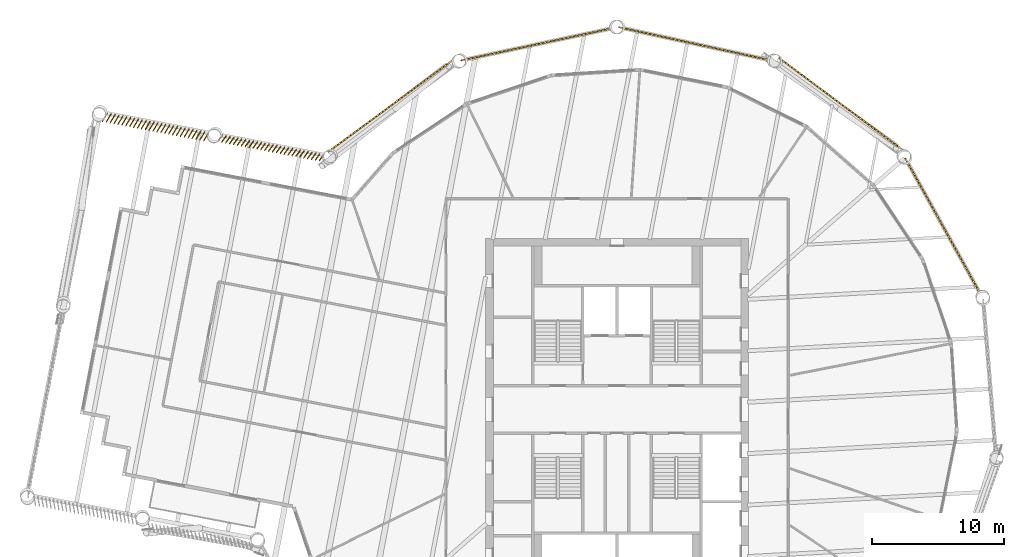
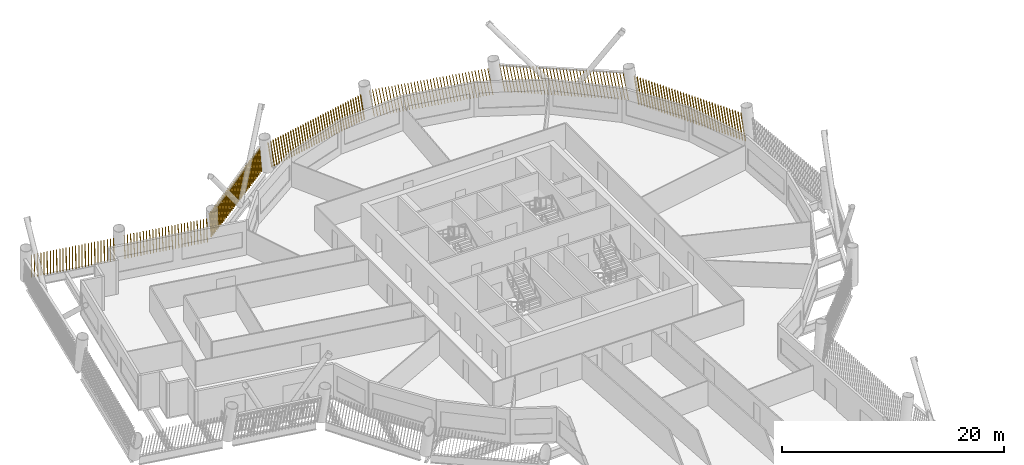
# One storey, part 22 of 23: 7 shading devices.
"""IFC4 building model written with IfcOpenShell, lengths in metres."""

from ifc_helpers import new_model, si_unit, direction, frame, frame_2d, origin, place, context, subcontext, project, spatial, rectangle, composite_profile, extrude, material, type_object, element, save


model = new_model("IFC4")

# Units and contexts
model_context = context("Model", 3, precision=1e-05, world=origin(), true_north=direction((0.0, 1.0)))
body_context = subcontext(model_context, "Body", "Model", "MODEL_VIEW")
ifc_project = project(units=[si_unit("LENGTHUNIT", "METRE"), si_unit("AREAUNIT", "SQUARE_METRE"), si_unit("VOLUMEUNIT", "CUBIC_METRE"), si_unit("PLANEANGLEUNIT", "RADIAN"), si_unit("MASSUNIT", "GRAM", prefix="KILO")], contexts=[model_context])

# Site, building, storey
site_placement = place(None, origin())
site = spatial("IfcSite", under=ifc_project, at=site_placement, CompositionType="ELEMENT")
building_placement = place(site_placement, origin())
building = spatial("IfcBuilding", under=site, at=building_placement, Name="Tarsis Ring Headquarters", CompositionType="ELEMENT")
storey_placement = place(building_placement, frame((0.0, 0.0, 239.39990234375)))
storey = spatial("IfcBuildingStorey", under=building, at=storey_placement, Name="L56", CompositionType="ELEMENT", Elevation=239.39990234375)

# Shading devices
ifc_material = material(Name="Terracotta baguette", Category="masonry")
shading_device_type = type_object("IfcShadingDeviceType", Name="Terracotta baguette screen", PredefinedType="USERDEFINED", material=ifc_material)
shading_device_1_placement = place(storey_placement, frame((27.563720703125, 8.841796875, 0.0), z_axis=(0.0, 0.0, 1.0), x_axis=(-0.48462289745, 0.874725990233, 0.0)))
element("IfcShadingDevice", 1, at=shading_device_1_placement, inside=storey, type_object=shading_device_type, Name="Baguette screen L56-10", ObjectType="Terracotta baguette screen", PredefinedType="USERDEFINED", context=body_context, shape_type="SweptSolid", body=[
    extrude(composite_profile([rectangle(XDim=0.06005859375, YDim=0.1201171875, at=frame_2d((0.030029296875, 0.0))), rectangle(XDim=0.06005859375, YDim=0.1201171875, at=frame_2d((0.33251953125, 0.0))), rectangle(XDim=0.06005859375, YDim=0.1201171875, at=frame_2d((0.634765625, 0.0))), rectangle(XDim=0.06005859375, YDim=0.1201171875, at=frame_2d((0.937255859375, 0.0))), rectangle(XDim=0.06005859375, YDim=0.1201171875, at=frame_2d((1.239501953125, 0.0))), rectangle(XDim=0.06005859375, YDim=0.1201171875, at=frame_2d((1.5419921875, 0.0))), rectangle(XDim=0.06005859375, YDim=0.1201171875, at=frame_2d((1.844482421875, 0.0))), rectangle(XDim=0.06005859375, YDim=0.1201171875, at=frame_2d((2.146728515625, 0.0))), rectangle(XDim=0.06005859375, YDim=0.1201171875, at=frame_2d((2.44921875, 0.0))), rectangle(XDim=0.06005859375, YDim=0.1201171875, at=frame_2d((2.751708984375, 0.0))), rectangle(XDim=0.06005859375, YDim=0.1201171875, at=frame_2d((3.053955078125, 0.0))), rectangle(XDim=0.06005859375, YDim=0.1201171875, at=frame_2d((3.3564453125, 0.0))), rectangle(XDim=0.06005859375, YDim=0.1201171875, at=frame_2d((3.65869140625, 0.0))), rectangle(XDim=0.06005859375, YDim=0.1201171875, at=frame_2d((3.961181640625, 0.0))), rectangle(XDim=0.06005859375, YDim=0.1201171875, at=frame_2d((4.263671875, 0.0))), rectangle(XDim=0.06005859375, YDim=0.1201171875, at=frame_2d((4.56591796875, 0.0))), rectangle(XDim=0.06005859375, YDim=0.1201171875, at=frame_2d((4.868408203125, 0.0))), rectangle(XDim=0.06005859375, YDim=0.1201171875, at=frame_2d((5.1708984375, 0.0))), rectangle(XDim=0.06005859375, YDim=0.1201171875, at=frame_2d((5.47314453125, 0.0))), rectangle(XDim=0.06005859375, YDim=0.1201171875, at=frame_2d((5.775634765625, 0.0))), rectangle(XDim=0.06005859375, YDim=0.1201171875, at=frame_2d((6.077880859375, 0.0))), rectangle(XDim=0.06005859375, YDim=0.1201171875, at=frame_2d((6.38037109375, 0.0))), rectangle(XDim=0.06005859375, YDim=0.1201171875, at=frame_2d((6.682861328125, 0.0))), rectangle(XDim=0.06005859375, YDim=0.1201171875, at=frame_2d((6.985107421875, 0.0))), rectangle(XDim=0.06005859375, YDim=0.1201171875, at=frame_2d((7.28759765625, 0.0))), rectangle(XDim=0.06005859375, YDim=0.1201171875, at=frame_2d((7.590087890625, 0.0))), rectangle(XDim=0.06005859375, YDim=0.1201171875, at=frame_2d((7.892333984375, 0.0))), rectangle(XDim=0.06005859375, YDim=0.1201171875, at=frame_2d((8.19482421875, 0.0))), rectangle(XDim=0.06005859375, YDim=0.1201171875, at=frame_2d((8.4970703125, 0.0))), rectangle(XDim=0.06005859375, YDim=0.1201171875, at=frame_2d((8.799560546875, 0.0))), rectangle(XDim=0.06005859375, YDim=0.1201171875, at=frame_2d((9.10205078125, 0.0))), rectangle(XDim=0.06005859375, YDim=0.1201171875, at=frame_2d((9.404296875, 0.0))), rectangle(XDim=0.06005859375, YDim=0.1201171875, at=frame_2d((9.706787109375, 0.0))), rectangle(XDim=0.06005859375, YDim=0.1201171875, at=frame_2d((10.00927734375, 0.0))), rectangle(XDim=0.06005859375, YDim=0.1201171875, at=frame_2d((10.3115234375, 0.0))), rectangle(XDim=0.06005859375, YDim=0.1201171875, at=frame_2d((10.614013671875, 0.0))), rectangle(XDim=0.06005859375, YDim=0.1201171875, at=frame_2d((10.916259765625, 0.0))), rectangle(XDim=0.06005859375, YDim=0.1201171875, at=frame_2d((11.21875, 0.0)))]), origin(), (0.159203714409, 0.001336921444, 0.987244848029), 2.98828125),
])
shading_device_2_placement = place(storey_placement, frame((21.69287109375, 19.718017578125, 0.0), z_axis=(0.0, 0.0, 1.0), x_axis=(-0.802105263158, 0.597200217037, 0.0)))
element("IfcShadingDevice", 2, at=shading_device_2_placement, inside=storey, type_object=shading_device_type, Name="Baguette screen L56-11", ObjectType="Terracotta baguette screen", PredefinedType="USERDEFINED", context=body_context, shape_type="SweptSolid", body=[
    extrude(composite_profile([rectangle(XDim=0.06005859375, YDim=0.1201171875, at=frame_2d((0.030029296875, 0.0))), rectangle(XDim=0.06005859375, YDim=0.1201171875, at=frame_2d((0.33251953125, 0.0))), rectangle(XDim=0.06005859375, YDim=0.1201171875, at=frame_2d((0.634765625, 0.0))), rectangle(XDim=0.06005859375, YDim=0.1201171875, at=frame_2d((0.937255859375, 0.0))), rectangle(XDim=0.06005859375, YDim=0.1201171875, at=frame_2d((1.239501953125, 0.0))), rectangle(XDim=0.06005859375, YDim=0.1201171875, at=frame_2d((1.5419921875, 0.0))), rectangle(XDim=0.06005859375, YDim=0.1201171875, at=frame_2d((1.844482421875, 0.0))), rectangle(XDim=0.06005859375, YDim=0.1201171875, at=frame_2d((2.146728515625, 0.0))), rectangle(XDim=0.06005859375, YDim=0.1201171875, at=frame_2d((2.44921875, 0.0))), rectangle(XDim=0.06005859375, YDim=0.1201171875, at=frame_2d((2.751708984375, 0.0))), rectangle(XDim=0.06005859375, YDim=0.1201171875, at=frame_2d((3.053955078125, 0.0))), rectangle(XDim=0.06005859375, YDim=0.1201171875, at=frame_2d((3.3564453125, 0.0))), rectangle(XDim=0.06005859375, YDim=0.1201171875, at=frame_2d((3.65869140625, 0.0))), rectangle(XDim=0.06005859375, YDim=0.1201171875, at=frame_2d((3.961181640625, 0.0))), rectangle(XDim=0.06005859375, YDim=0.1201171875, at=frame_2d((4.263671875, 0.0))), rectangle(XDim=0.06005859375, YDim=0.1201171875, at=frame_2d((4.56591796875, 0.0))), rectangle(XDim=0.06005859375, YDim=0.1201171875, at=frame_2d((4.868408203125, 0.0))), rectangle(XDim=0.06005859375, YDim=0.1201171875, at=frame_2d((5.1708984375, 0.0))), rectangle(XDim=0.06005859375, YDim=0.1201171875, at=frame_2d((5.47314453125, 0.0))), rectangle(XDim=0.06005859375, YDim=0.1201171875, at=frame_2d((5.775634765625, 0.0))), rectangle(XDim=0.06005859375, YDim=0.1201171875, at=frame_2d((6.077880859375, 0.0))), rectangle(XDim=0.06005859375, YDim=0.1201171875, at=frame_2d((6.38037109375, 0.0))), rectangle(XDim=0.06005859375, YDim=0.1201171875, at=frame_2d((6.682861328125, 0.0))), rectangle(XDim=0.06005859375, YDim=0.1201171875, at=frame_2d((6.985107421875, 0.0))), rectangle(XDim=0.06005859375, YDim=0.1201171875, at=frame_2d((7.28759765625, 0.0))), rectangle(XDim=0.06005859375, YDim=0.1201171875, at=frame_2d((7.590087890625, 0.0))), rectangle(XDim=0.06005859375, YDim=0.1201171875, at=frame_2d((7.892333984375, 0.0))), rectangle(XDim=0.06005859375, YDim=0.1201171875, at=frame_2d((8.19482421875, 0.0))), rectangle(XDim=0.06005859375, YDim=0.1201171875, at=frame_2d((8.4970703125, 0.0))), rectangle(XDim=0.06005859375, YDim=0.1201171875, at=frame_2d((8.799560546875, 0.0))), rectangle(XDim=0.06005859375, YDim=0.1201171875, at=frame_2d((9.10205078125, 0.0))), rectangle(XDim=0.06005859375, YDim=0.1201171875, at=frame_2d((9.404296875, 0.0))), rectangle(XDim=0.06005859375, YDim=0.1201171875, at=frame_2d((9.706787109375, 0.0))), rectangle(XDim=0.06005859375, YDim=0.1201171875, at=frame_2d((10.00927734375, 0.0))), rectangle(XDim=0.06005859375, YDim=0.1201171875, at=frame_2d((10.3115234375, 0.0))), rectangle(XDim=0.06005859375, YDim=0.1201171875, at=frame_2d((10.614013671875, 0.0))), rectangle(XDim=0.06005859375, YDim=0.1201171875, at=frame_2d((10.916259765625, 0.0))), rectangle(XDim=0.06005859375, YDim=0.1201171875, at=frame_2d((11.21875, 0.0)))]), origin(), (0.161253232348, 0.001352459562, 0.986912136875), 2.9892578125),
])
shading_device_3_placement = place(storey_placement, frame((11.556640625, 26.540283203125, 0.0), z_axis=(0.0, 0.0, 1.0), x_axis=(-0.976950623983, 0.213478024959, 0.0)))
element("IfcShadingDevice", 3, at=shading_device_3_placement, inside=storey, type_object=shading_device_type, Name="Baguette screen L56-12", ObjectType="Terracotta baguette screen", PredefinedType="USERDEFINED", context=body_context, shape_type="SweptSolid", body=[
    extrude(composite_profile([rectangle(XDim=0.06005859375, YDim=0.1201171875, at=frame_2d((0.030029296875, 0.0))), rectangle(XDim=0.06005859375, YDim=0.1201171875, at=frame_2d((0.33251953125, 0.0))), rectangle(XDim=0.06005859375, YDim=0.1201171875, at=frame_2d((0.634765625, 0.0))), rectangle(XDim=0.06005859375, YDim=0.1201171875, at=frame_2d((0.937255859375, 0.0))), rectangle(XDim=0.06005859375, YDim=0.1201171875, at=frame_2d((1.239501953125, 0.0))), rectangle(XDim=0.06005859375, YDim=0.1201171875, at=frame_2d((1.5419921875, 0.0))), rectangle(XDim=0.06005859375, YDim=0.1201171875, at=frame_2d((1.844482421875, 0.0))), rectangle(XDim=0.06005859375, YDim=0.1201171875, at=frame_2d((2.146728515625, 0.0))), rectangle(XDim=0.06005859375, YDim=0.1201171875, at=frame_2d((2.44921875, 0.0))), rectangle(XDim=0.06005859375, YDim=0.1201171875, at=frame_2d((2.751708984375, 0.0))), rectangle(XDim=0.06005859375, YDim=0.1201171875, at=frame_2d((3.053955078125, 0.0))), rectangle(XDim=0.06005859375, YDim=0.1201171875, at=frame_2d((3.3564453125, 0.0))), rectangle(XDim=0.06005859375, YDim=0.1201171875, at=frame_2d((3.65869140625, 0.0))), rectangle(XDim=0.06005859375, YDim=0.1201171875, at=frame_2d((3.961181640625, 0.0))), rectangle(XDim=0.06005859375, YDim=0.1201171875, at=frame_2d((4.263671875, 0.0))), rectangle(XDim=0.06005859375, YDim=0.1201171875, at=frame_2d((4.56591796875, 0.0))), rectangle(XDim=0.06005859375, YDim=0.1201171875, at=frame_2d((4.868408203125, 0.0))), rectangle(XDim=0.06005859375, YDim=0.1201171875, at=frame_2d((5.1708984375, 0.0))), rectangle(XDim=0.06005859375, YDim=0.1201171875, at=frame_2d((5.47314453125, 0.0))), rectangle(XDim=0.06005859375, YDim=0.1201171875, at=frame_2d((5.775634765625, 0.0))), rectangle(XDim=0.06005859375, YDim=0.1201171875, at=frame_2d((6.077880859375, 0.0))), rectangle(XDim=0.06005859375, YDim=0.1201171875, at=frame_2d((6.38037109375, 0.0))), rectangle(XDim=0.06005859375, YDim=0.1201171875, at=frame_2d((6.682861328125, 0.0))), rectangle(XDim=0.06005859375, YDim=0.1201171875, at=frame_2d((6.985107421875, 0.0))), rectangle(XDim=0.06005859375, YDim=0.1201171875, at=frame_2d((7.28759765625, 0.0))), rectangle(XDim=0.06005859375, YDim=0.1201171875, at=frame_2d((7.590087890625, 0.0))), rectangle(XDim=0.06005859375, YDim=0.1201171875, at=frame_2d((7.892333984375, 0.0))), rectangle(XDim=0.06005859375, YDim=0.1201171875, at=frame_2d((8.19482421875, 0.0))), rectangle(XDim=0.06005859375, YDim=0.1201171875, at=frame_2d((8.4970703125, 0.0))), rectangle(XDim=0.06005859375, YDim=0.1201171875, at=frame_2d((8.799560546875, 0.0))), rectangle(XDim=0.06005859375, YDim=0.1201171875, at=frame_2d((9.10205078125, 0.0))), rectangle(XDim=0.06005859375, YDim=0.1201171875, at=frame_2d((9.404296875, 0.0))), rectangle(XDim=0.06005859375, YDim=0.1201171875, at=frame_2d((9.706787109375, 0.0))), rectangle(XDim=0.06005859375, YDim=0.1201171875, at=frame_2d((10.00927734375, 0.0))), rectangle(XDim=0.06005859375, YDim=0.1201171875, at=frame_2d((10.3115234375, 0.0))), rectangle(XDim=0.06005859375, YDim=0.1201171875, at=frame_2d((10.614013671875, 0.0))), rectangle(XDim=0.06005859375, YDim=0.1201171875, at=frame_2d((10.916259765625, 0.0))), rectangle(XDim=0.06005859375, YDim=0.1201171875, at=frame_2d((11.21875, 0.0)))]), origin(), (0.159203748365, 0.001333729568, 0.98724484687), 2.98828125),
])
shading_device_4_placement = place(storey_placement, frame((-0.410400390625, 28.9443359375, 0.0), z_axis=(0.0, 0.0, 1.0), x_axis=(-0.978100922409, -0.208182311449, 0.0)))
element("IfcShadingDevice", 4, at=shading_device_4_placement, inside=storey, type_object=shading_device_type, Name="Baguette screen L56-13", ObjectType="Terracotta baguette screen", PredefinedType="USERDEFINED", context=body_context, shape_type="SweptSolid", body=[
    extrude(composite_profile([rectangle(XDim=0.06005859375, YDim=0.1201171875, at=frame_2d((0.030029296875, 0.0))), rectangle(XDim=0.06005859375, YDim=0.1201171875, at=frame_2d((0.33251953125, 0.0))), rectangle(XDim=0.06005859375, YDim=0.1201171875, at=frame_2d((0.634765625, 0.0))), rectangle(XDim=0.06005859375, YDim=0.1201171875, at=frame_2d((0.937255859375, 0.0))), rectangle(XDim=0.06005859375, YDim=0.1201171875, at=frame_2d((1.239501953125, 0.0))), rectangle(XDim=0.06005859375, YDim=0.1201171875, at=frame_2d((1.5419921875, 0.0))), rectangle(XDim=0.06005859375, YDim=0.1201171875, at=frame_2d((1.844482421875, 0.0))), rectangle(XDim=0.06005859375, YDim=0.1201171875, at=frame_2d((2.146728515625, 0.0))), rectangle(XDim=0.06005859375, YDim=0.1201171875, at=frame_2d((2.44921875, 0.0))), rectangle(XDim=0.06005859375, YDim=0.1201171875, at=frame_2d((2.751708984375, 0.0))), rectangle(XDim=0.06005859375, YDim=0.1201171875, at=frame_2d((3.053955078125, 0.0))), rectangle(XDim=0.06005859375, YDim=0.1201171875, at=frame_2d((3.3564453125, 0.0))), rectangle(XDim=0.06005859375, YDim=0.1201171875, at=frame_2d((3.65869140625, 0.0))), rectangle(XDim=0.06005859375, YDim=0.1201171875, at=frame_2d((3.961181640625, 0.0))), rectangle(XDim=0.06005859375, YDim=0.1201171875, at=frame_2d((4.263671875, 0.0))), rectangle(XDim=0.06005859375, YDim=0.1201171875, at=frame_2d((4.56591796875, 0.0))), rectangle(XDim=0.06005859375, YDim=0.1201171875, at=frame_2d((4.868408203125, 0.0))), rectangle(XDim=0.06005859375, YDim=0.1201171875, at=frame_2d((5.1708984375, 0.0))), rectangle(XDim=0.06005859375, YDim=0.1201171875, at=frame_2d((5.47314453125, 0.0))), rectangle(XDim=0.06005859375, YDim=0.1201171875, at=frame_2d((5.775634765625, 0.0))), rectangle(XDim=0.06005859375, YDim=0.1201171875, at=frame_2d((6.077880859375, 0.0))), rectangle(XDim=0.06005859375, YDim=0.1201171875, at=frame_2d((6.38037109375, 0.0))), rectangle(XDim=0.06005859375, YDim=0.1201171875, at=frame_2d((6.682861328125, 0.0))), rectangle(XDim=0.06005859375, YDim=0.1201171875, at=frame_2d((6.985107421875, 0.0))), rectangle(XDim=0.06005859375, YDim=0.1201171875, at=frame_2d((7.28759765625, 0.0))), rectangle(XDim=0.06005859375, YDim=0.1201171875, at=frame_2d((7.590087890625, 0.0))), rectangle(XDim=0.06005859375, YDim=0.1201171875, at=frame_2d((7.892333984375, 0.0))), rectangle(XDim=0.06005859375, YDim=0.1201171875, at=frame_2d((8.19482421875, 0.0))), rectangle(XDim=0.06005859375, YDim=0.1201171875, at=frame_2d((8.4970703125, 0.0))), rectangle(XDim=0.06005859375, YDim=0.1201171875, at=frame_2d((8.799560546875, 0.0))), rectangle(XDim=0.06005859375, YDim=0.1201171875, at=frame_2d((9.10205078125, 0.0))), rectangle(XDim=0.06005859375, YDim=0.1201171875, at=frame_2d((9.404296875, 0.0))), rectangle(XDim=0.06005859375, YDim=0.1201171875, at=frame_2d((9.706787109375, 0.0))), rectangle(XDim=0.06005859375, YDim=0.1201171875, at=frame_2d((10.00927734375, 0.0))), rectangle(XDim=0.06005859375, YDim=0.1201171875, at=frame_2d((10.3115234375, 0.0))), rectangle(XDim=0.06005859375, YDim=0.1201171875, at=frame_2d((10.614013671875, 0.0))), rectangle(XDim=0.06005859375, YDim=0.1201171875, at=frame_2d((10.916259765625, 0.0))), rectangle(XDim=0.06005859375, YDim=0.1201171875, at=frame_2d((11.21875, 0.0)))]), origin(), (0.15920520152, 0.001334797633, 0.987244611089), 2.98828125),
])
shading_device_5_placement = place(storey_placement, frame((-12.52685546875, 26.50390625, 0.0), z_axis=(0.0, 0.0, 1.0), x_axis=(-0.805317417254, -0.592837764514, 0.0)))
element("IfcShadingDevice", 5, at=shading_device_5_placement, inside=storey, type_object=shading_device_type, Name="Baguette screen L56-14", ObjectType="Terracotta baguette screen", PredefinedType="USERDEFINED", context=body_context, shape_type="SweptSolid", body=[
    extrude(composite_profile([rectangle(XDim=0.06005859375, YDim=0.1201171875, at=frame_2d((0.030029296875, 0.0))), rectangle(XDim=0.06005859375, YDim=0.1201171875, at=frame_2d((0.33251953125, 0.0))), rectangle(XDim=0.06005859375, YDim=0.1201171875, at=frame_2d((0.634765625, 0.0))), rectangle(XDim=0.06005859375, YDim=0.1201171875, at=frame_2d((0.937255859375, 0.0))), rectangle(XDim=0.06005859375, YDim=0.1201171875, at=frame_2d((1.239501953125, 0.0))), rectangle(XDim=0.06005859375, YDim=0.1201171875, at=frame_2d((1.5419921875, 0.0))), rectangle(XDim=0.06005859375, YDim=0.1201171875, at=frame_2d((1.844482421875, 0.0))), rectangle(XDim=0.06005859375, YDim=0.1201171875, at=frame_2d((2.146728515625, 0.0))), rectangle(XDim=0.06005859375, YDim=0.1201171875, at=frame_2d((2.44921875, 0.0))), rectangle(XDim=0.06005859375, YDim=0.1201171875, at=frame_2d((2.751708984375, 0.0))), rectangle(XDim=0.06005859375, YDim=0.1201171875, at=frame_2d((3.053955078125, 0.0))), rectangle(XDim=0.06005859375, YDim=0.1201171875, at=frame_2d((3.3564453125, 0.0))), rectangle(XDim=0.06005859375, YDim=0.1201171875, at=frame_2d((3.65869140625, 0.0))), rectangle(XDim=0.06005859375, YDim=0.1201171875, at=frame_2d((3.961181640625, 0.0))), rectangle(XDim=0.06005859375, YDim=0.1201171875, at=frame_2d((4.263671875, 0.0))), rectangle(XDim=0.06005859375, YDim=0.1201171875, at=frame_2d((4.56591796875, 0.0))), rectangle(XDim=0.06005859375, YDim=0.1201171875, at=frame_2d((4.868408203125, 0.0))), rectangle(XDim=0.06005859375, YDim=0.1201171875, at=frame_2d((5.1708984375, 0.0))), rectangle(XDim=0.06005859375, YDim=0.1201171875, at=frame_2d((5.47314453125, 0.0))), rectangle(XDim=0.06005859375, YDim=0.1201171875, at=frame_2d((5.775634765625, 0.0))), rectangle(XDim=0.06005859375, YDim=0.1201171875, at=frame_2d((6.077880859375, 0.0))), rectangle(XDim=0.06005859375, YDim=0.1201171875, at=frame_2d((6.38037109375, 0.0))), rectangle(XDim=0.06005859375, YDim=0.1201171875, at=frame_2d((6.682861328125, 0.0))), rectangle(XDim=0.06005859375, YDim=0.1201171875, at=frame_2d((6.985107421875, 0.0))), rectangle(XDim=0.06005859375, YDim=0.1201171875, at=frame_2d((7.28759765625, 0.0))), rectangle(XDim=0.06005859375, YDim=0.1201171875, at=frame_2d((7.590087890625, 0.0))), rectangle(XDim=0.06005859375, YDim=0.1201171875, at=frame_2d((7.892333984375, 0.0))), rectangle(XDim=0.06005859375, YDim=0.1201171875, at=frame_2d((8.19482421875, 0.0))), rectangle(XDim=0.06005859375, YDim=0.1201171875, at=frame_2d((8.4970703125, 0.0))), rectangle(XDim=0.06005859375, YDim=0.1201171875, at=frame_2d((8.799560546875, 0.0))), rectangle(XDim=0.06005859375, YDim=0.1201171875, at=frame_2d((9.10205078125, 0.0))), rectangle(XDim=0.06005859375, YDim=0.1201171875, at=frame_2d((9.404296875, 0.0))), rectangle(XDim=0.06005859375, YDim=0.1201171875, at=frame_2d((9.706787109375, 0.0))), rectangle(XDim=0.06005859375, YDim=0.1201171875, at=frame_2d((10.00927734375, 0.0))), rectangle(XDim=0.06005859375, YDim=0.1201171875, at=frame_2d((10.3115234375, 0.0))), rectangle(XDim=0.06005859375, YDim=0.1201171875, at=frame_2d((10.614013671875, 0.0))), rectangle(XDim=0.06005859375, YDim=0.1201171875, at=frame_2d((10.916259765625, 0.0))), rectangle(XDim=0.06005859375, YDim=0.1201171875, at=frame_2d((11.21875, 0.0)))]), origin(), (0.161251424539, 0.001350547442, 0.986912434872), 2.9892578125),
])
shading_device_6_placement = place(storey_placement, frame((-22.257080078125, 19.330810546875, 0.0), z_axis=(0.0, 0.0, 1.0), x_axis=(-0.982142857143, 0.188056104795, 0.0)))
element("IfcShadingDevice", 6, at=shading_device_6_placement, inside=storey, type_object=shading_device_type, Name="Baguette screen L56-15", ObjectType="Terracotta baguette screen", PredefinedType="USERDEFINED", context=body_context, shape_type="SweptSolid", body=[
    extrude(composite_profile([rectangle(XDim=0.06005859375, YDim=0.1201171875, at=frame_2d((0.030029296875, 0.0))), rectangle(XDim=0.06005859375, YDim=0.1201171875, at=frame_2d((0.33154296875, 0.0))), rectangle(XDim=0.06005859375, YDim=0.1201171875, at=frame_2d((0.63330078125, 0.0))), rectangle(XDim=0.06005859375, YDim=0.1201171875, at=frame_2d((0.934814453125, 0.0))), rectangle(XDim=0.06005859375, YDim=0.1201171875, at=frame_2d((1.236572265625, 0.0))), rectangle(XDim=0.06005859375, YDim=0.1201171875, at=frame_2d((1.5380859375, 0.0))), rectangle(XDim=0.06005859375, YDim=0.1201171875, at=frame_2d((1.83984375, 0.0))), rectangle(XDim=0.06005859375, YDim=0.1201171875, at=frame_2d((2.141357421875, 0.0))), rectangle(XDim=0.06005859375, YDim=0.1201171875, at=frame_2d((2.443115234375, 0.0))), rectangle(XDim=0.06005859375, YDim=0.1201171875, at=frame_2d((2.74462890625, 0.0))), rectangle(XDim=0.06005859375, YDim=0.1201171875, at=frame_2d((3.04638671875, 0.0))), rectangle(XDim=0.06005859375, YDim=0.1201171875, at=frame_2d((3.347900390625, 0.0))), rectangle(XDim=0.06005859375, YDim=0.1201171875, at=frame_2d((3.649658203125, 0.0))), rectangle(XDim=0.06005859375, YDim=0.1201171875, at=frame_2d((3.951171875, 0.0))), rectangle(XDim=0.06005859375, YDim=0.1201171875, at=frame_2d((4.252685546875, 0.0))), rectangle(XDim=0.06005859375, YDim=0.1201171875, at=frame_2d((4.554443359375, 0.0))), rectangle(XDim=0.06005859375, YDim=0.1201171875, at=frame_2d((4.85595703125, 0.0))), rectangle(XDim=0.06005859375, YDim=0.1201171875, at=frame_2d((5.15771484375, 0.0))), rectangle(XDim=0.06005859375, YDim=0.1201171875, at=frame_2d((5.459228515625, 0.0))), rectangle(XDim=0.06005859375, YDim=0.1201171875, at=frame_2d((5.760986328125, 0.0))), rectangle(XDim=0.06005859375, YDim=0.1201171875, at=frame_2d((6.0625, 0.0))), rectangle(XDim=0.06005859375, YDim=0.1201171875, at=frame_2d((6.3642578125, 0.0))), rectangle(XDim=0.06005859375, YDim=0.1201171875, at=frame_2d((6.665771484375, 0.0))), rectangle(XDim=0.06005859375, YDim=0.1201171875, at=frame_2d((6.967529296875, 0.0))), rectangle(XDim=0.06005859375, YDim=0.1201171875, at=frame_2d((7.26904296875, 0.0))), rectangle(XDim=0.06005859375, YDim=0.1201171875, at=frame_2d((7.57080078125, 0.0))), rectangle(XDim=0.06005859375, YDim=0.1201171875, at=frame_2d((7.872314453125, 0.0)))]), origin(), (0.081238945152, 0.165064488755, 0.982931303979), 3.00146484375),
])
shading_device_7_placement = place(storey_placement, frame((-31.00048828125, 21.0048828125, 0.0), z_axis=(0.0, 0.0, 1.0), x_axis=(-0.982142857143, 0.188086999506, 0.0)))
element("IfcShadingDevice", 7, at=shading_device_7_placement, inside=storey, type_object=shading_device_type, Name="Baguette screen L56-16", ObjectType="Terracotta baguette screen", PredefinedType="USERDEFINED", context=body_context, shape_type="SweptSolid", body=[
    extrude(composite_profile([rectangle(XDim=0.06005859375, YDim=0.1201171875, at=frame_2d((0.030029296875, 0.0))), rectangle(XDim=0.06005859375, YDim=0.1201171875, at=frame_2d((0.33154296875, 0.0))), rectangle(XDim=0.06005859375, YDim=0.1201171875, at=frame_2d((0.63330078125, 0.0))), rectangle(XDim=0.06005859375, YDim=0.1201171875, at=frame_2d((0.934814453125, 0.0))), rectangle(XDim=0.06005859375, YDim=0.1201171875, at=frame_2d((1.236572265625, 0.0))), rectangle(XDim=0.06005859375, YDim=0.1201171875, at=frame_2d((1.5380859375, 0.0))), rectangle(XDim=0.06005859375, YDim=0.1201171875, at=frame_2d((1.83984375, 0.0))), rectangle(XDim=0.06005859375, YDim=0.1201171875, at=frame_2d((2.141357421875, 0.0))), rectangle(XDim=0.06005859375, YDim=0.1201171875, at=frame_2d((2.443115234375, 0.0))), rectangle(XDim=0.06005859375, YDim=0.1201171875, at=frame_2d((2.74462890625, 0.0))), rectangle(XDim=0.06005859375, YDim=0.1201171875, at=frame_2d((3.04638671875, 0.0))), rectangle(XDim=0.06005859375, YDim=0.1201171875, at=frame_2d((3.347900390625, 0.0))), rectangle(XDim=0.06005859375, YDim=0.1201171875, at=frame_2d((3.649658203125, 0.0))), rectangle(XDim=0.06005859375, YDim=0.1201171875, at=frame_2d((3.951171875, 0.0))), rectangle(XDim=0.06005859375, YDim=0.1201171875, at=frame_2d((4.252685546875, 0.0))), rectangle(XDim=0.06005859375, YDim=0.1201171875, at=frame_2d((4.554443359375, 0.0))), rectangle(XDim=0.06005859375, YDim=0.1201171875, at=frame_2d((4.85595703125, 0.0))), rectangle(XDim=0.06005859375, YDim=0.1201171875, at=frame_2d((5.15771484375, 0.0))), rectangle(XDim=0.06005859375, YDim=0.1201171875, at=frame_2d((5.459228515625, 0.0))), rectangle(XDim=0.06005859375, YDim=0.1201171875, at=frame_2d((5.760986328125, 0.0))), rectangle(XDim=0.06005859375, YDim=0.1201171875, at=frame_2d((6.0625, 0.0))), rectangle(XDim=0.06005859375, YDim=0.1201171875, at=frame_2d((6.3642578125, 0.0))), rectangle(XDim=0.06005859375, YDim=0.1201171875, at=frame_2d((6.665771484375, 0.0))), rectangle(XDim=0.06005859375, YDim=0.1201171875, at=frame_2d((6.967529296875, 0.0))), rectangle(XDim=0.06005859375, YDim=0.1201171875, at=frame_2d((7.26904296875, 0.0))), rectangle(XDim=0.06005859375, YDim=0.1201171875, at=frame_2d((7.57080078125, 0.0))), rectangle(XDim=0.06005859375, YDim=0.1201171875, at=frame_2d((7.872314453125, 0.0)))]), origin(), (0.080067493501, 0.212769432757, 0.973816391816), 3.029541015625),
])

save(model, "model.ifc")
